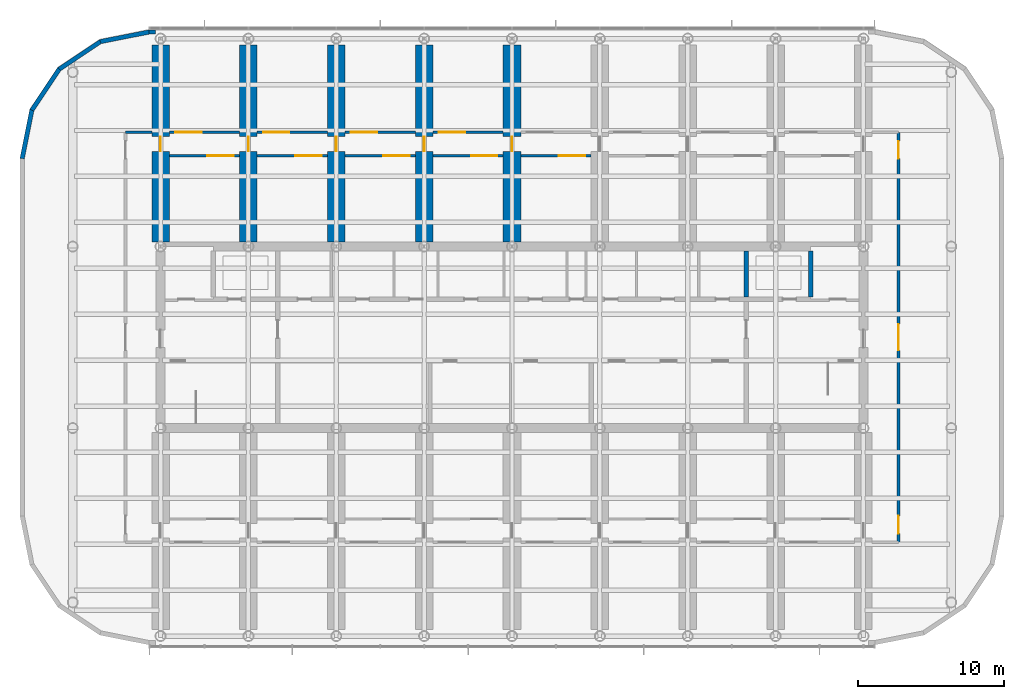
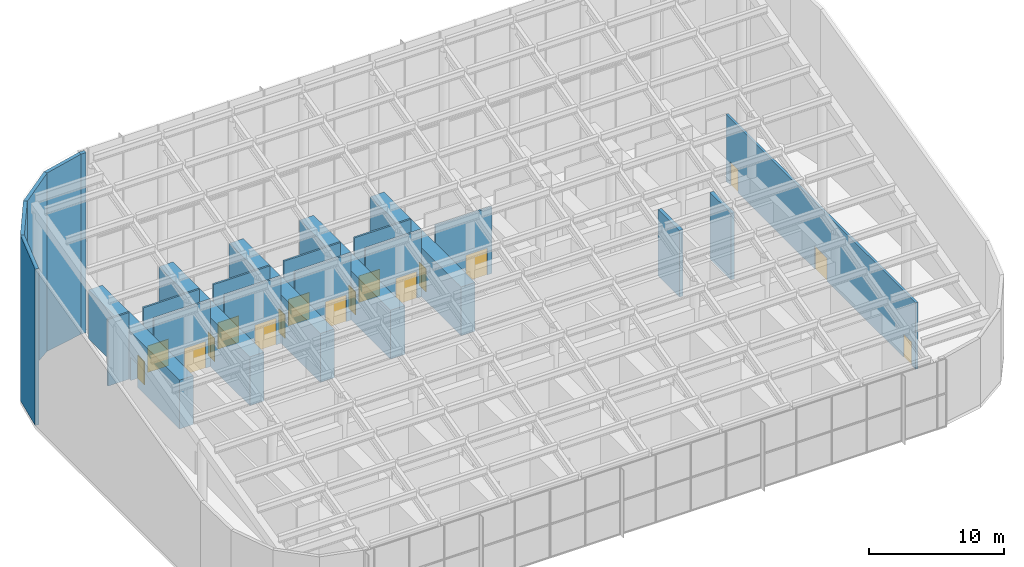
# One storey, part 12 of 14: 23 walls, 17 doors, 17 openings.
"""IFC4 building model written with IfcOpenShell, lengths in metres."""

from ifc_helpers import new_model, si_unit, direction, frame, frame_2d, origin, place, context, subcontext, project, spatial, polyline, rectangle, outline, extrude, clip, halfspace, material, layer, layer_set, type_object, element, fill, save


model = new_model("IFC4")

# Units and contexts
model_context = context("Model", 3, precision=1e-05, world=origin(), true_north=direction((0.0, 1.0)))
body_context = subcontext(model_context, "Body", "Model", "MODEL_VIEW")
ifc_project = project(units=[si_unit("LENGTHUNIT", "METRE"), si_unit("AREAUNIT", "SQUARE_METRE"), si_unit("VOLUMEUNIT", "CUBIC_METRE"), si_unit("PLANEANGLEUNIT", "RADIAN"), si_unit("MASSUNIT", "GRAM", prefix="KILO")], contexts=[model_context])

# Site, building, storey
site_placement = place(None, origin())
site = spatial("IfcSite", under=ifc_project, at=site_placement, CompositionType="ELEMENT")
building_placement = place(site_placement, origin())
building = spatial("IfcBuilding", under=site, at=building_placement, Name="Orbita Commons", CompositionType="ELEMENT")
storey_placement = place(building_placement, frame((0.0, 0.0, 262.300048828125)))
storey = spatial("IfcBuildingStorey", under=building, at=storey_placement, Name="L65", CompositionType="ELEMENT", Elevation=262.300048828125)

# Walls
ifc_material_1 = material(Name="Concrete C50/60", Category="concrete")
ifc_layer_1 = layer(ifc_material_1, 0.300048828125)
ifc_layer_set_1 = layer_set([ifc_layer_1], Name="Concrete C50/60")
wall_type_1 = type_object("IfcWallType", Name="Core inner wall 300 C50/60", PredefinedType="SHEAR", material=ifc_layer_set_1)
for number, where, z_axis, x_axis, name in (
    (1, (62.39990234375, 34.75, 0.0), (0.0, 0.0, 1.0), (0.0, 1.0, 0.0), "Firefighting lift FL2 shaft wall L65"),
    (2, (58.0, 34.75, 0.0), (0.0, 0.0, 1.0), (0.0, 1.0, 0.0), "Riser wall east L65"),
):
    element("IfcWall", number, at=place(storey_placement, frame(where, z_axis=z_axis, x_axis=x_axis)), inside=storey, type_object=wall_type_1, Name=name, PredefinedType="SHEAR", context=body_context, shape_type="SweptSolid", body=[
        extrude(rectangle(XDim=3.14990234375, YDim=0.300048828125, at=frame_2d((1.574951171875, 0.0))), origin(), (0.0, 0.0, 1.0), 6.0),
    ])

# Wall, openings, doors
ifc_material_2 = material(Name="Concrete blockwork", Category="masonry")
ifc_layer_2 = layer(ifc_material_2, 0.199951171875)
ifc_layer_set_2 = layer_set([ifc_layer_2], Name="Concrete blockwork")
wall_type_2 = type_object("IfcWallType", Name="Corridor wall 200 blockwork", PredefinedType="SOLIDWALL", material=ifc_layer_set_2)
wall_1_placement = place(storey_placement, frame((68.39990234375, 18.0, 0.0), z_axis=(0.0, 0.0, 1.0), x_axis=(0.0, 1.0, 0.0)))
wall_1 = element("IfcWall", 3, at=wall_1_placement, inside=storey, type_object=wall_type_2, Name="Corridor wall 200 blockwork L65", PredefinedType="SOLIDWALL", context=body_context, shape_type="SweptSolid", body=[
    extrude(rectangle(XDim=28.0, YDim=0.199951171875, at=frame_2d((14.0, 0.0))), origin(), (0.0, 0.0, 1.0), 6.0),
])
opening_1_placement = place(wall_1_placement, frame((13.10009765625, 0.0, 0.0)))
opening_1 = element("IfcOpeningElement", 4, at=opening_1_placement, cuts=wall_1, Name="Opening D19", PredefinedType="OPENING", context=body_context, shape_type="SweptSolid", body=[
    extrude(rectangle(XDim=1.800048828125, YDim=2.10009765625, at=frame_2d((0.89990234375, 1.050048828125))), frame((0.0, 0.10986328125, 0.0), z_axis=(0.0, -1.0, 0.0), x_axis=(1.0, 0.0, 0.0)), (0.0, 0.0, 1.0), 0.219970703125),
])
opening_2_placement = place(wall_1_placement, frame((26.199951171875, 0.0, 0.0)))
opening_2 = element("IfcOpeningElement", 5, at=opening_2_placement, cuts=wall_1, Name="Opening D01", PredefinedType="OPENING", context=body_context, shape_type="SweptSolid", body=[
    extrude(rectangle(XDim=1.199951171875, YDim=2.10009765625, at=frame_2d((0.60009765625, 1.050048828125))), frame((0.0, 0.10986328125, 0.0), z_axis=(0.0, -1.0, 0.0), x_axis=(1.0, 0.0, 0.0)), (0.0, 0.0, 1.0), 0.219970703125),
])
opening_3_placement = place(wall_1_placement, frame((0.60009765625, 0.0, 0.0)))
opening_3 = element("IfcOpeningElement", 6, at=opening_3_placement, cuts=wall_1, Name="Opening D01", PredefinedType="OPENING", context=body_context, shape_type="SweptSolid", body=[
    extrude(rectangle(XDim=1.199951171875, YDim=2.10009765625, at=frame_2d((0.60009765625, 1.050048828125))), frame((0.0, 0.10986328125, 0.0), z_axis=(0.0, -1.0, 0.0), x_axis=(1.0, 0.0, 0.0)), (0.0, 0.0, 1.0), 0.219970703125),
])
ifc_material_3 = material(Name="Steel-faced fire door leaf", Category="steel")
door_type_1 = type_object("IfcDoorType", Name="Double fire door 90 min 1800x2100", OperationType="DOUBLE_DOOR_SINGLE_SWING", PredefinedType="DOOR", material=ifc_material_3)
door_1_placement = place(opening_1_placement, origin())
door_1 = element("IfcDoor", 7, at=door_1_placement, inside=storey, type_object=door_type_1, Name="Maintenance unit garage doors", OperationType="DOUBLE_DOOR_SINGLE_SWING", OverallHeight=2.10009765625, OverallWidth=1.800048828125, PredefinedType="DOOR", context=body_context, shape_type="SweptSolid", body=[
    extrude(rectangle(XDim=1.800048828125, YDim=2.10009765625, at=frame_2d((0.89990234375, 1.050048828125))), frame((0.0, 0.02490234375, 0.0), z_axis=(0.0, -1.0, 0.0), x_axis=(1.0, 0.0, 0.0)), (0.0, 0.0, 1.0), 0.050048828125),
])
fill(opening_1, door_1)
ifc_material_4 = material(Name="Steel-faced fire door leaf", Category="steel")
door_type_2 = type_object("IfcDoorType", Name="Fire door 90 min 1200x2100", OperationType="SINGLE_SWING_LEFT", PredefinedType="DOOR", material=ifc_material_4)
door_2_placement = place(opening_2_placement, origin())
door_2 = element("IfcDoor", 8, at=door_2_placement, inside=storey, type_object=door_type_2, Name="Lift motor and winch room east south door", OperationType="SINGLE_SWING_LEFT", OverallHeight=2.10009765625, OverallWidth=1.199951171875, PredefinedType="DOOR", context=body_context, shape_type="SweptSolid", body=[
    extrude(rectangle(XDim=1.199951171875, YDim=2.10009765625, at=frame_2d((0.60009765625, 1.050048828125))), frame((0.0, 0.02490234375, 0.0), z_axis=(0.0, -1.0, 0.0), x_axis=(1.0, 0.0, 0.0)), (0.0, 0.0, 1.0), 0.050048828125),
])
fill(opening_2, door_2)
door_3_placement = place(opening_3_placement, origin())
door_3 = element("IfcDoor", 9, at=door_3_placement, inside=storey, type_object=door_type_2, Name="Lift motor and winch room east north door", OperationType="SINGLE_SWING_LEFT", OverallHeight=2.10009765625, OverallWidth=1.199951171875, PredefinedType="DOOR", context=body_context, shape_type="SweptSolid", body=[
    extrude(rectangle(XDim=1.199951171875, YDim=2.10009765625, at=frame_2d((0.60009765625, 1.050048828125))), frame((0.0, 0.02490234375, 0.0), z_axis=(0.0, -1.0, 0.0), x_axis=(1.0, 0.0, 0.0)), (0.0, 0.0, 1.0), 0.050048828125),
])
fill(opening_3, door_3)

# Wall, opening, door
ifc_material_5 = material(Name="Concrete C50/60", Category="concrete")
ifc_layer_3 = layer(ifc_material_5, 1.199951171875)
ifc_layer_set_3 = layer_set([ifc_layer_3], Name="Concrete C50/60")
wall_type_3 = type_object("IfcWallType", Name="Outrigger wall 1200 C50/60", PredefinedType="SHEAR", material=ifc_layer_set_3)
wall_2_placement = place(storey_placement, frame((18.0, 38.5, 0.0), z_axis=(0.0, 0.0, 1.0), x_axis=(0.0, 1.0, 0.0)))
wall_2 = element("IfcWall", 10, at=wall_2_placement, inside=storey, type_object=wall_type_3, Name="Outrigger wall 4 north L65", PredefinedType="SHEAR", context=body_context, shape_type="SweptSolid", body=[
    extrude(rectangle(XDim=13.449951171875, YDim=1.199951171875, at=frame_2d((6.72509765625, 0.0))), origin(), (0.0, 0.0, 1.0), 4.39990234375),
])
opening_4_placement = place(wall_2_placement, frame((6.199951171875, 0.0, 0.0)))
opening_4 = element("IfcOpeningElement", 11, at=opening_4_placement, cuts=wall_2, Name="Opening D02", PredefinedType="OPENING", context=body_context, shape_type="SweptSolid", body=[
    extrude(rectangle(XDim=1.0, YDim=2.10009765625, at=frame_2d((0.5, 1.050048828125))), frame((0.0, 0.60986328125, 0.0), z_axis=(0.0, -1.0, 0.0), x_axis=(1.0, 0.0, 0.0)), (0.0, 0.0, 1.0), 1.219970703125),
])
ifc_material_6 = material(Name="Steel-faced fire door leaf", Category="steel")
door_type_3 = type_object("IfcDoorType", Name="Fire door 90 min 1000x2100", OperationType="SINGLE_SWING_LEFT", PredefinedType="DOOR", material=ifc_material_6)
door_4_placement = place(opening_4_placement, origin())
door_4 = element("IfcDoor", 12, at=door_4_placement, inside=storey, type_object=door_type_3, Name="Plant corridor door through outrigger wall", OperationType="SINGLE_SWING_LEFT", OverallHeight=2.10009765625, OverallWidth=1.0, PredefinedType="DOOR", context=body_context, shape_type="SweptSolid", body=[
    extrude(rectangle(XDim=1.0, YDim=2.10009765625, at=frame_2d((0.5, 1.050048828125))), frame((0.0, 0.02490234375, 0.0), z_axis=(0.0, -1.0, 0.0), x_axis=(1.0, 0.0, 0.0)), (0.0, 0.0, 1.0), 0.050048828125),
])
fill(opening_4, door_4)

wall_3_placement = place(storey_placement, frame((24.0, 38.5, 0.0), z_axis=(0.0, 0.0, 1.0), x_axis=(0.0, 1.0, 0.0)))
wall_3 = element("IfcWall", 13, at=wall_3_placement, inside=storey, type_object=wall_type_3, Name="Outrigger wall 5 north L65", PredefinedType="SHEAR", context=body_context, shape_type="SweptSolid", body=[
    extrude(rectangle(XDim=13.449951171875, YDim=1.199951171875, at=frame_2d((6.72509765625, 0.0))), origin(), (0.0, 0.0, 1.0), 4.39990234375),
])
opening_5_placement = place(wall_3_placement, frame((6.199951171875, 0.0, 0.0)))
opening_5 = element("IfcOpeningElement", 14, at=opening_5_placement, cuts=wall_3, Name="Opening D02", PredefinedType="OPENING", context=body_context, shape_type="SweptSolid", body=[
    extrude(rectangle(XDim=1.0, YDim=2.10009765625, at=frame_2d((0.5, 1.050048828125))), frame((0.0, 0.60986328125, 0.0), z_axis=(0.0, -1.0, 0.0), x_axis=(1.0, 0.0, 0.0)), (0.0, 0.0, 1.0), 1.219970703125),
])
door_5_placement = place(opening_5_placement, origin())
door_5 = element("IfcDoor", 15, at=door_5_placement, inside=storey, type_object=door_type_3, Name="Plant corridor door through outrigger wall", OperationType="SINGLE_SWING_LEFT", OverallHeight=2.10009765625, OverallWidth=1.0, PredefinedType="DOOR", context=body_context, shape_type="SweptSolid", body=[
    extrude(rectangle(XDim=1.0, YDim=2.10009765625, at=frame_2d((0.5, 1.050048828125))), frame((0.0, 0.02490234375, 0.0), z_axis=(0.0, -1.0, 0.0), x_axis=(1.0, 0.0, 0.0)), (0.0, 0.0, 1.0), 0.050048828125),
])
fill(opening_5, door_5)

wall_4_placement = place(storey_placement, frame((30.0, 38.5, 0.0), z_axis=(0.0, 0.0, 1.0), x_axis=(0.0, 1.0, 0.0)))
wall_4 = element("IfcWall", 16, at=wall_4_placement, inside=storey, type_object=wall_type_3, Name="Outrigger wall 6 north L65", PredefinedType="SHEAR", context=body_context, shape_type="SweptSolid", body=[
    extrude(rectangle(XDim=13.449951171875, YDim=1.199951171875, at=frame_2d((6.72509765625, 0.0))), origin(), (0.0, 0.0, 1.0), 4.39990234375),
])
opening_6_placement = place(wall_4_placement, frame((6.199951171875, 0.0, 0.0)))
opening_6 = element("IfcOpeningElement", 17, at=opening_6_placement, cuts=wall_4, Name="Opening D02", PredefinedType="OPENING", context=body_context, shape_type="SweptSolid", body=[
    extrude(rectangle(XDim=1.0, YDim=2.10009765625, at=frame_2d((0.5, 1.050048828125))), frame((0.0, 0.60986328125, 0.0), z_axis=(0.0, -1.0, 0.0), x_axis=(1.0, 0.0, 0.0)), (0.0, 0.0, 1.0), 1.219970703125),
])
door_6_placement = place(opening_6_placement, origin())
door_6 = element("IfcDoor", 18, at=door_6_placement, inside=storey, type_object=door_type_3, Name="Plant corridor door through outrigger wall", OperationType="SINGLE_SWING_LEFT", OverallHeight=2.10009765625, OverallWidth=1.0, PredefinedType="DOOR", context=body_context, shape_type="SweptSolid", body=[
    extrude(rectangle(XDim=1.0, YDim=2.10009765625, at=frame_2d((0.5, 1.050048828125))), frame((0.0, 0.02490234375, 0.0), z_axis=(0.0, -1.0, 0.0), x_axis=(1.0, 0.0, 0.0)), (0.0, 0.0, 1.0), 0.050048828125),
])
fill(opening_6, door_6)

wall_5_placement = place(storey_placement, frame((36.0, 38.5, 0.0), z_axis=(0.0, 0.0, 1.0), x_axis=(0.0, 1.0, 0.0)))
wall_5 = element("IfcWall", 19, at=wall_5_placement, inside=storey, type_object=wall_type_3, Name="Outrigger wall 7 north L65", PredefinedType="SHEAR", context=body_context, shape_type="SweptSolid", body=[
    extrude(rectangle(XDim=13.449951171875, YDim=1.199951171875, at=frame_2d((6.72509765625, 0.0))), origin(), (0.0, 0.0, 1.0), 4.39990234375),
])
opening_7_placement = place(wall_5_placement, frame((6.199951171875, 0.0, 0.0)))
opening_7 = element("IfcOpeningElement", 20, at=opening_7_placement, cuts=wall_5, Name="Opening D02", PredefinedType="OPENING", context=body_context, shape_type="SweptSolid", body=[
    extrude(rectangle(XDim=1.0, YDim=2.10009765625, at=frame_2d((0.5, 1.050048828125))), frame((0.0, 0.60986328125, 0.0), z_axis=(0.0, -1.0, 0.0), x_axis=(1.0, 0.0, 0.0)), (0.0, 0.0, 1.0), 1.219970703125),
])
door_7_placement = place(opening_7_placement, origin())
door_7 = element("IfcDoor", 21, at=door_7_placement, inside=storey, type_object=door_type_3, Name="Plant corridor door through outrigger wall", OperationType="SINGLE_SWING_LEFT", OverallHeight=2.10009765625, OverallWidth=1.0, PredefinedType="DOOR", context=body_context, shape_type="SweptSolid", body=[
    extrude(rectangle(XDim=1.0, YDim=2.10009765625, at=frame_2d((0.5, 1.050048828125))), frame((0.0, 0.02490234375, 0.0), z_axis=(0.0, -1.0, 0.0), x_axis=(1.0, 0.0, 0.0)), (0.0, 0.0, 1.0), 0.050048828125),
])
fill(opening_7, door_7)

wall_6_placement = place(storey_placement, frame((42.0, 38.5, 0.0), z_axis=(0.0, 0.0, 1.0), x_axis=(0.0, 1.0, 0.0)))
wall_6 = element("IfcWall", 22, at=wall_6_placement, inside=storey, type_object=wall_type_3, Name="Outrigger wall 8 north L65", PredefinedType="SHEAR", context=body_context, shape_type="SweptSolid", body=[
    extrude(rectangle(XDim=13.449951171875, YDim=1.199951171875, at=frame_2d((6.72509765625, 0.0))), origin(), (0.0, 0.0, 1.0), 4.39990234375),
])
opening_8_placement = place(wall_6_placement, frame((6.199951171875, 0.0, 0.0)))
opening_8 = element("IfcOpeningElement", 23, at=opening_8_placement, cuts=wall_6, Name="Opening D02", PredefinedType="OPENING", context=body_context, shape_type="SweptSolid", body=[
    extrude(rectangle(XDim=1.0, YDim=2.10009765625, at=frame_2d((0.5, 1.050048828125))), frame((0.0, 0.60986328125, 0.0), z_axis=(0.0, -1.0, 0.0), x_axis=(1.0, 0.0, 0.0)), (0.0, 0.0, 1.0), 1.219970703125),
])
door_8_placement = place(opening_8_placement, origin())
door_8 = element("IfcDoor", 24, at=door_8_placement, inside=storey, type_object=door_type_3, Name="Plant corridor door through outrigger wall", OperationType="SINGLE_SWING_LEFT", OverallHeight=2.10009765625, OverallWidth=1.0, PredefinedType="DOOR", context=body_context, shape_type="SweptSolid", body=[
    extrude(rectangle(XDim=1.0, YDim=2.10009765625, at=frame_2d((0.5, 1.050048828125))), frame((0.0, 0.02490234375, 0.0), z_axis=(0.0, -1.0, 0.0), x_axis=(1.0, 0.0, 0.0)), (0.0, 0.0, 1.0), 0.050048828125),
])
fill(opening_8, door_8)

# Wall
ifc_material_7 = material(Name="Gypsum plasterboard on steel studs", Category="steel")
ifc_layer_4 = layer(ifc_material_7, 0.14990234375)
ifc_layer_set_4 = layer_set([ifc_layer_4], Name="Gypsum plasterboard on steel studs")
wall_type_4 = type_object("IfcWallType", Name="Partition 150 plasterboard", PredefinedType="PARTITIONING", material=ifc_layer_set_4)
wall_7_placement = place(storey_placement, frame((15.60009765625, 46.0, 0.0), z_axis=(0.0, 0.0, 1.0), x_axis=(1.0, 0.0, 0.0)))
element("IfcWall", 25, at=wall_7_placement, inside=storey, type_object=wall_type_4, Name="Partition 150 plasterboard L65", PredefinedType="PARTITIONING", context=body_context, shape_type="SweptSolid", body=[
    extrude(rectangle(XDim=1.7998046875, YDim=0.14990234375, at=frame_2d((0.89990234375, 0.0))), origin(), (0.0, 0.0, 1.0), 6.0),
])

# Wall, opening, door
wall_8_placement = place(storey_placement, frame((18.60009765625, 46.0, 0.0), z_axis=(0.0, 0.0, 1.0), x_axis=(1.0, 0.0, 0.0)))
wall_8 = element("IfcWall", 26, at=wall_8_placement, inside=storey, type_object=wall_type_4, Name="Partition 150 plasterboard L65", PredefinedType="PARTITIONING", context=body_context, shape_type="SweptSolid", body=[
    extrude(rectangle(XDim=4.7998046875, YDim=0.14990234375, at=frame_2d((2.39990234375, 0.0))), origin(), (0.0, 0.0, 1.0), 6.0),
])
opening_9_placement = place(wall_8_placement, frame((0.39990234375, 0.0, 0.0)))
opening_9 = element("IfcOpeningElement", 27, at=opening_9_placement, cuts=wall_8, Name="Opening D14", PredefinedType="OPENING", context=body_context, shape_type="SweptSolid", body=[
    extrude(rectangle(XDim=1.800048828125, YDim=2.39990234375, at=frame_2d((0.89990234375, 1.199951171875))), frame((0.0, 0.0849609375, 0.0), z_axis=(0.0, -1.0, 0.0), x_axis=(1.0, 0.0, 0.0)), (0.0, 0.0, 1.0), 0.169921875),
])
ifc_material_8 = material(Name="Steel-faced fire door leaf", Category="steel")
door_type_4 = type_object("IfcDoorType", Name="Double fire door 90 min 1800x2400", OperationType="DOUBLE_DOOR_SINGLE_SWING", PredefinedType="DOOR", material=ifc_material_8)
door_9_placement = place(opening_9_placement, origin())
door_9 = element("IfcDoor", 28, at=door_9_placement, inside=storey, type_object=door_type_4, Name="Cooling plant room north doors", OperationType="DOUBLE_DOOR_SINGLE_SWING", OverallHeight=2.39990234375, OverallWidth=1.800048828125, PredefinedType="DOOR", context=body_context, shape_type="SweptSolid", body=[
    extrude(rectangle(XDim=1.800048828125, YDim=2.39990234375, at=frame_2d((0.89990234375, 1.199951171875))), frame((0.0, 0.02490234375, 0.0), z_axis=(0.0, -1.0, 0.0), x_axis=(1.0, 0.0, 0.0)), (0.0, 0.0, 1.0), 0.050048828125),
])
fill(opening_9, door_9)

wall_9_placement = place(storey_placement, frame((18.60009765625, 44.39990234375, 0.0), z_axis=(0.0, 0.0, 1.0), x_axis=(1.0, 0.0, 0.0)))
wall_9 = element("IfcWall", 29, at=wall_9_placement, inside=storey, type_object=wall_type_4, Name="Partition 150 plasterboard L65", PredefinedType="PARTITIONING", context=body_context, shape_type="SweptSolid", body=[
    extrude(rectangle(XDim=4.7998046875, YDim=0.14990234375, at=frame_2d((2.39990234375, 0.0))), origin(), (0.0, 0.0, 1.0), 6.0),
])
opening_10_placement = place(wall_9_placement, frame((2.60009765625, 0.0, 0.0)))
opening_10 = element("IfcOpeningElement", 30, at=opening_10_placement, cuts=wall_9, Name="Opening D14", PredefinedType="OPENING", context=body_context, shape_type="SweptSolid", body=[
    extrude(rectangle(XDim=1.800048828125, YDim=2.39990234375, at=frame_2d((0.89990234375, 1.199951171875))), frame((0.0, 0.0849609375, 0.0), z_axis=(0.0, -1.0, 0.0), x_axis=(1.0, 0.0, 0.0)), (0.0, 0.0, 1.0), 0.169921875),
])
door_10_placement = place(opening_10_placement, origin())
door_10 = element("IfcDoor", 31, at=door_10_placement, inside=storey, type_object=door_type_4, Name="Chemical dosing room north doors", OperationType="DOUBLE_DOOR_SINGLE_SWING", OverallHeight=2.39990234375, OverallWidth=1.800048828125, PredefinedType="DOOR", context=body_context, shape_type="SweptSolid", body=[
    extrude(rectangle(XDim=1.800048828125, YDim=2.39990234375, at=frame_2d((0.89990234375, 1.199951171875))), frame((0.0, 0.02490234375, 0.0), z_axis=(0.0, -1.0, 0.0), x_axis=(1.0, 0.0, 0.0)), (0.0, 0.0, 1.0), 0.050048828125),
])
fill(opening_10, door_10)

wall_10_placement = place(storey_placement, frame((24.60009765625, 46.0, 0.0), z_axis=(0.0, 0.0, 1.0), x_axis=(1.0, 0.0, 0.0)))
wall_10 = element("IfcWall", 32, at=wall_10_placement, inside=storey, type_object=wall_type_4, Name="Partition 150 plasterboard L65", PredefinedType="PARTITIONING", context=body_context, shape_type="SweptSolid", body=[
    extrude(rectangle(XDim=4.7998046875, YDim=0.14990234375, at=frame_2d((2.39990234375, 0.0))), origin(), (0.0, 0.0, 1.0), 6.0),
])
opening_11_placement = place(wall_10_placement, frame((0.39990234375, 0.0, 0.0)))
opening_11 = element("IfcOpeningElement", 33, at=opening_11_placement, cuts=wall_10, Name="Opening D14", PredefinedType="OPENING", context=body_context, shape_type="SweptSolid", body=[
    extrude(rectangle(XDim=1.800048828125, YDim=2.39990234375, at=frame_2d((0.89990234375, 1.199951171875))), frame((0.0, 0.0849609375, 0.0), z_axis=(0.0, -1.0, 0.0), x_axis=(1.0, 0.0, 0.0)), (0.0, 0.0, 1.0), 0.169921875),
])
door_11_placement = place(opening_11_placement, origin())
door_11 = element("IfcDoor", 34, at=door_11_placement, inside=storey, type_object=door_type_4, Name="Water storage tank room north doors", OperationType="DOUBLE_DOOR_SINGLE_SWING", OverallHeight=2.39990234375, OverallWidth=1.800048828125, PredefinedType="DOOR", context=body_context, shape_type="SweptSolid", body=[
    extrude(rectangle(XDim=1.800048828125, YDim=2.39990234375, at=frame_2d((0.89990234375, 1.199951171875))), frame((0.0, 0.02490234375, 0.0), z_axis=(0.0, -1.0, 0.0), x_axis=(1.0, 0.0, 0.0)), (0.0, 0.0, 1.0), 0.050048828125),
])
fill(opening_11, door_11)

wall_11_placement = place(storey_placement, frame((24.60009765625, 44.39990234375, 0.0), z_axis=(0.0, 0.0, 1.0), x_axis=(1.0, 0.0, 0.0)))
wall_11 = element("IfcWall", 35, at=wall_11_placement, inside=storey, type_object=wall_type_4, Name="Partition 150 plasterboard L65", PredefinedType="PARTITIONING", context=body_context, shape_type="SweptSolid", body=[
    extrude(rectangle(XDim=4.7998046875, YDim=0.14990234375, at=frame_2d((2.39990234375, 0.0))), origin(), (0.0, 0.0, 1.0), 6.0),
])
opening_12_placement = place(wall_11_placement, frame((2.60009765625, 0.0, 0.0)))
opening_12 = element("IfcOpeningElement", 36, at=opening_12_placement, cuts=wall_11, Name="Opening D14", PredefinedType="OPENING", context=body_context, shape_type="SweptSolid", body=[
    extrude(rectangle(XDim=1.800048828125, YDim=2.39990234375, at=frame_2d((0.89990234375, 1.199951171875))), frame((0.0, 0.0849609375, 0.0), z_axis=(0.0, -1.0, 0.0), x_axis=(1.0, 0.0, 0.0)), (0.0, 0.0, 1.0), 0.169921875),
])
door_12_placement = place(opening_12_placement, origin())
door_12 = element("IfcDoor", 37, at=door_12_placement, inside=storey, type_object=door_type_4, Name="Plant spares store north doors", OperationType="DOUBLE_DOOR_SINGLE_SWING", OverallHeight=2.39990234375, OverallWidth=1.800048828125, PredefinedType="DOOR", context=body_context, shape_type="SweptSolid", body=[
    extrude(rectangle(XDim=1.800048828125, YDim=2.39990234375, at=frame_2d((0.89990234375, 1.199951171875))), frame((0.0, 0.02490234375, 0.0), z_axis=(0.0, -1.0, 0.0), x_axis=(1.0, 0.0, 0.0)), (0.0, 0.0, 1.0), 0.050048828125),
])
fill(opening_12, door_12)

wall_12_placement = place(storey_placement, frame((30.60009765625, 46.0, 0.0), z_axis=(0.0, 0.0, 1.0), x_axis=(1.0, 0.0, 0.0)))
wall_12 = element("IfcWall", 38, at=wall_12_placement, inside=storey, type_object=wall_type_4, Name="Partition 150 plasterboard L65", PredefinedType="PARTITIONING", context=body_context, shape_type="SweptSolid", body=[
    extrude(rectangle(XDim=4.7998046875, YDim=0.14990234375, at=frame_2d((2.39990234375, 0.0))), origin(), (0.0, 0.0, 1.0), 6.0),
])
opening_13_placement = place(wall_12_placement, frame((0.39990234375, 0.0, 0.0)))
opening_13 = element("IfcOpeningElement", 39, at=opening_13_placement, cuts=wall_12, Name="Opening D14", PredefinedType="OPENING", context=body_context, shape_type="SweptSolid", body=[
    extrude(rectangle(XDim=1.800048828125, YDim=2.39990234375, at=frame_2d((0.89990234375, 1.199951171875))), frame((0.0, 0.0849609375, 0.0), z_axis=(0.0, -1.0, 0.0), x_axis=(1.0, 0.0, 0.0)), (0.0, 0.0, 1.0), 0.169921875),
])
door_13_placement = place(opening_13_placement, origin())
door_13 = element("IfcDoor", 40, at=door_13_placement, inside=storey, type_object=door_type_4, Name="Air handling plant room north doors", OperationType="DOUBLE_DOOR_SINGLE_SWING", OverallHeight=2.39990234375, OverallWidth=1.800048828125, PredefinedType="DOOR", context=body_context, shape_type="SweptSolid", body=[
    extrude(rectangle(XDim=1.800048828125, YDim=2.39990234375, at=frame_2d((0.89990234375, 1.199951171875))), frame((0.0, 0.02490234375, 0.0), z_axis=(0.0, -1.0, 0.0), x_axis=(1.0, 0.0, 0.0)), (0.0, 0.0, 1.0), 0.050048828125),
])
fill(opening_13, door_13)

wall_13_placement = place(storey_placement, frame((30.60009765625, 44.39990234375, 0.0), z_axis=(0.0, 0.0, 1.0), x_axis=(1.0, 0.0, 0.0)))
wall_13 = element("IfcWall", 41, at=wall_13_placement, inside=storey, type_object=wall_type_4, Name="Partition 150 plasterboard L65", PredefinedType="PARTITIONING", context=body_context, shape_type="SweptSolid", body=[
    extrude(rectangle(XDim=4.7998046875, YDim=0.14990234375, at=frame_2d((2.39990234375, 0.0))), origin(), (0.0, 0.0, 1.0), 6.0),
])
opening_14_placement = place(wall_13_placement, frame((2.60009765625, 0.0, 0.0)))
opening_14 = element("IfcOpeningElement", 42, at=opening_14_placement, cuts=wall_13, Name="Opening D14", PredefinedType="OPENING", context=body_context, shape_type="SweptSolid", body=[
    extrude(rectangle(XDim=1.800048828125, YDim=2.39990234375, at=frame_2d((0.89990234375, 1.199951171875))), frame((0.0, 0.0849609375, 0.0), z_axis=(0.0, -1.0, 0.0), x_axis=(1.0, 0.0, 0.0)), (0.0, 0.0, 1.0), 0.169921875),
])
door_14_placement = place(opening_14_placement, origin())
door_14 = element("IfcDoor", 43, at=door_14_placement, inside=storey, type_object=door_type_4, Name="Building controls room north doors", OperationType="DOUBLE_DOOR_SINGLE_SWING", OverallHeight=2.39990234375, OverallWidth=1.800048828125, PredefinedType="DOOR", context=body_context, shape_type="SweptSolid", body=[
    extrude(rectangle(XDim=1.800048828125, YDim=2.39990234375, at=frame_2d((0.89990234375, 1.199951171875))), frame((0.0, 0.02490234375, 0.0), z_axis=(0.0, -1.0, 0.0), x_axis=(1.0, 0.0, 0.0)), (0.0, 0.0, 1.0), 0.050048828125),
])
fill(opening_14, door_14)

wall_14_placement = place(storey_placement, frame((36.60009765625, 46.0, 0.0), z_axis=(0.0, 0.0, 1.0), x_axis=(1.0, 0.0, 0.0)))
wall_14 = element("IfcWall", 44, at=wall_14_placement, inside=storey, type_object=wall_type_4, Name="Partition 150 plasterboard L65", PredefinedType="PARTITIONING", context=body_context, shape_type="SweptSolid", body=[
    extrude(rectangle(XDim=4.7998046875, YDim=0.14990234375, at=frame_2d((2.39990234375, 0.0))), origin(), (0.0, 0.0, 1.0), 6.0),
])
opening_15_placement = place(wall_14_placement, frame((0.39990234375, 0.0, 0.0)))
opening_15 = element("IfcOpeningElement", 45, at=opening_15_placement, cuts=wall_14, Name="Opening D14", PredefinedType="OPENING", context=body_context, shape_type="SweptSolid", body=[
    extrude(rectangle(XDim=1.800048828125, YDim=2.39990234375, at=frame_2d((0.89990234375, 1.199951171875))), frame((0.0, 0.0849609375, 0.0), z_axis=(0.0, -1.0, 0.0), x_axis=(1.0, 0.0, 0.0)), (0.0, 0.0, 1.0), 0.169921875),
])
door_15_placement = place(opening_15_placement, origin())
door_15 = element("IfcDoor", 46, at=door_15_placement, inside=storey, type_object=door_type_4, Name="Booster pump room north doors", OperationType="DOUBLE_DOOR_SINGLE_SWING", OverallHeight=2.39990234375, OverallWidth=1.800048828125, PredefinedType="DOOR", context=body_context, shape_type="SweptSolid", body=[
    extrude(rectangle(XDim=1.800048828125, YDim=2.39990234375, at=frame_2d((0.89990234375, 1.199951171875))), frame((0.0, 0.02490234375, 0.0), z_axis=(0.0, -1.0, 0.0), x_axis=(1.0, 0.0, 0.0)), (0.0, 0.0, 1.0), 0.050048828125),
])
fill(opening_15, door_15)

wall_15_placement = place(storey_placement, frame((36.60009765625, 44.39990234375, 0.0), z_axis=(0.0, 0.0, 1.0), x_axis=(1.0, 0.0, 0.0)))
wall_15 = element("IfcWall", 47, at=wall_15_placement, inside=storey, type_object=wall_type_4, Name="Partition 150 plasterboard L65", PredefinedType="PARTITIONING", context=body_context, shape_type="SweptSolid", body=[
    extrude(rectangle(XDim=4.7998046875, YDim=0.14990234375, at=frame_2d((2.39990234375, 0.0))), origin(), (0.0, 0.0, 1.0), 6.0),
])
opening_16_placement = place(wall_15_placement, frame((2.60009765625, 0.0, 0.0)))
opening_16 = element("IfcOpeningElement", 48, at=opening_16_placement, cuts=wall_15, Name="Opening D14", PredefinedType="OPENING", context=body_context, shape_type="SweptSolid", body=[
    extrude(rectangle(XDim=1.800048828125, YDim=2.39990234375, at=frame_2d((0.89990234375, 1.199951171875))), frame((0.0, 0.0849609375, 0.0), z_axis=(0.0, -1.0, 0.0), x_axis=(1.0, 0.0, 0.0)), (0.0, 0.0, 1.0), 0.169921875),
])
door_16_placement = place(opening_16_placement, origin())
door_16 = element("IfcDoor", 49, at=door_16_placement, inside=storey, type_object=door_type_4, Name="Pressurisation unit room north doors", OperationType="DOUBLE_DOOR_SINGLE_SWING", OverallHeight=2.39990234375, OverallWidth=1.800048828125, PredefinedType="DOOR", context=body_context, shape_type="SweptSolid", body=[
    extrude(rectangle(XDim=1.800048828125, YDim=2.39990234375, at=frame_2d((0.89990234375, 1.199951171875))), frame((0.0, 0.02490234375, 0.0), z_axis=(0.0, -1.0, 0.0), x_axis=(1.0, 0.0, 0.0)), (0.0, 0.0, 1.0), 0.050048828125),
])
fill(opening_16, door_16)

wall_16_placement = place(storey_placement, frame((42.60009765625, 44.39990234375, 0.0), z_axis=(0.0, 0.0, 1.0), x_axis=(1.0, 0.0, 0.0)))
wall_16 = element("IfcWall", 50, at=wall_16_placement, inside=storey, type_object=wall_type_4, Name="Partition 150 plasterboard L65", PredefinedType="PARTITIONING", context=body_context, shape_type="SweptSolid", body=[
    extrude(rectangle(XDim=4.7998046875, YDim=0.14990234375, at=frame_2d((2.39990234375, 0.0))), origin(), (0.0, 0.0, 1.0), 6.0),
])
opening_17_placement = place(wall_16_placement, frame((2.60009765625, 0.0, 0.0)))
opening_17 = element("IfcOpeningElement", 51, at=opening_17_placement, cuts=wall_16, Name="Opening D14", PredefinedType="OPENING", context=body_context, shape_type="SweptSolid", body=[
    extrude(rectangle(XDim=1.800048828125, YDim=2.39990234375, at=frame_2d((0.89990234375, 1.199951171875))), frame((0.0, 0.0849609375, 0.0), z_axis=(0.0, -1.0, 0.0), x_axis=(1.0, 0.0, 0.0)), (0.0, 0.0, 1.0), 0.169921875),
])
door_17_placement = place(opening_17_placement, origin())
door_17 = element("IfcDoor", 52, at=door_17_placement, inside=storey, type_object=door_type_4, Name="Water treatment room north doors", OperationType="DOUBLE_DOOR_SINGLE_SWING", OverallHeight=2.39990234375, OverallWidth=1.800048828125, PredefinedType="DOOR", context=body_context, shape_type="SweptSolid", body=[
    extrude(rectangle(XDim=1.800048828125, YDim=2.39990234375, at=frame_2d((0.89990234375, 1.199951171875))), frame((0.0, 0.02490234375, 0.0), z_axis=(0.0, -1.0, 0.0), x_axis=(1.0, 0.0, 0.0)), (0.0, 0.0, 1.0), 0.050048828125),
])
fill(opening_17, door_17)

# Walls
ifc_material_9 = material(Name="Precast concrete C40/50, white board-marked finish", Category="concrete")
ifc_layer_5 = layer(ifc_material_9, 0.300048828125)
ifc_layer_set_5 = layer_set([ifc_layer_5], Name="Precast concrete C40/50, white board-marked finish")
wall_type_5 = type_object("IfcWallType", Name="Precast concrete end shield 300", PredefinedType="SOLIDWALL", material=ifc_layer_set_5)
wall_17_placement = place(storey_placement, frame((17.199951171875, 52.85009765625, 0.0), z_axis=(0.0, 0.0, 1.0), x_axis=(-0.98078325777, -0.195100490205, 0.0)))
element("IfcWall", 53, at=wall_17_placement, inside=storey, type_object=wall_type_5, Name="End shield NW chord 1 L65", PredefinedType="SOLIDWALL", context=body_context, shape_type="Clipping", body=[
    clip(clip(extrude(outline(polyline([(-0.039794921875, 0.0), (3.414794921875, 0.0), (3.414794921875, 16.068115234375), (-0.039794921875, 16.236328125), (-0.039794921875, 0.0)])), frame((0.0, 0.14990234375, 0.0), z_axis=(0.0, -1.0, 0.0), x_axis=(1.0, 0.0, 0.0)), (0.0, 0.0, 1.0), 0.300048828125), halfspace(frame((0.0, 0.0, 0.0), z_axis=(-0.980785349348, 0.195089975409, 0.0)), False)), halfspace(frame((3.375, 0.0, 0.0), z_axis=(0.980785349348, 0.195089975409, 0.0)), False)),
])
wall_18_placement = place(storey_placement, frame((13.889892578125, 52.191650390625, 0.0), z_axis=(0.0, 0.0, 1.0), x_axis=(-0.831460037396, -0.555584562613, 0.0)))
element("IfcWall", 54, at=wall_18_placement, inside=storey, type_object=wall_type_5, Name="End shield NW chord 2 L65", PredefinedType="SOLIDWALL", context=body_context, shape_type="Clipping", body=[
    clip(clip(extrude(outline(polyline([(-0.039794921875, 0.0), (3.4150390625, 0.0), (3.4150390625, 15.596923828125), (3.375, 15.6025390625), (-0.039794921875, 16.07568359375), (-0.039794921875, 0.0)])), frame((0.0, 0.14990234375, 0.0), z_axis=(0.0, -1.0, 0.0), x_axis=(1.0, 0.0, 0.0)), (0.0, 0.0, 1.0), 0.300048828125), halfspace(frame((0.0, 0.0, 0.0), z_axis=(-0.980785349348, 0.195089975409, 0.0)), False)), halfspace(frame((3.375244140625, 0.0, 0.0), z_axis=(0.980785349348, 0.195089975409, 0.0)), False)),
])
wall_19_placement = place(storey_placement, frame((11.08349609375, 50.31640625, 0.0), z_axis=(0.0, 0.0, 1.0), x_axis=(-0.555567969291, -0.831471124873, 0.0)))
element("IfcWall", 55, at=wall_19_placement, inside=storey, type_object=wall_type_5, Name="End shield NW chord 3 L65", PredefinedType="SOLIDWALL", context=body_context, shape_type="Clipping", body=[
    clip(clip(extrude(outline(polyline([(-0.039794921875, 0.0), (3.414794921875, 0.0), (3.414794921875, 14.894775390625), (-0.039794921875, 15.61083984375), (-0.039794921875, 0.0)])), frame((0.0, 0.14990234375, 0.0), z_axis=(0.0, -1.0, 0.0), x_axis=(1.0, 0.0, 0.0)), (0.0, 0.0, 1.0), 0.300048828125), halfspace(frame((0.0, 0.0, 0.0), z_axis=(-0.980785349348, 0.195089975409, 0.0)), False)), halfspace(frame((3.375, 0.0, 0.0), z_axis=(0.980785349348, 0.195089975409, 0.0)), False)),
])
wall_20_placement = place(storey_placement, frame((9.20849609375, 47.51025390625, 0.0), z_axis=(0.0, 0.0, 1.0), x_axis=(-0.19508664885, -0.980786011034, 0.0)))
element("IfcWall", 56, at=wall_20_placement, inside=storey, type_object=wall_type_5, Name="End shield NW chord 4 L65", PredefinedType="SOLIDWALL", context=body_context, shape_type="Clipping", body=[
    clip(clip(extrude(outline(polyline([(-0.039794921875, 0.0), (3.4150390625, 0.0), (3.4150390625, 14.06787109375), (3.375, 14.07763671875), (-0.039794921875, 14.912841796875), (-0.039794921875, 0.0)])), frame((0.0, 0.14990234375, 0.0), z_axis=(0.0, -1.0, 0.0), x_axis=(1.0, 0.0, 0.0)), (0.0, 0.0, 1.0), 0.300048828125), halfspace(frame((0.0, 0.0, 0.0), z_axis=(-0.980785349348, 0.195089975409, 0.0)), False)), halfspace(frame((3.375244140625, 0.0, 0.0), z_axis=(0.995184765828, 0.098016742771, 0.0)), False)),
])
wall_21_placement = place(storey_placement, frame((17.199951171875, 52.85009765625, 0.0), z_axis=(0.0, 0.0, 1.0), x_axis=(1.0, 0.0, 0.0)))
element("IfcWall", 57, at=wall_21_placement, inside=storey, type_object=wall_type_5, Name="End shield NW closer L65", PredefinedType="SOLIDWALL", context=body_context, shape_type="SweptSolid", body=[
    extrude(outline(polyline([(0.0, 0.0), (0.444580078125, 0.0), (0.444580078125, 16.234375), (0.0, 16.234375), (0.0, 0.0)])), frame((0.0, 0.14990234375, 0.0), z_axis=(0.0, -1.0, 0.0), x_axis=(1.0, 0.0, 0.0)), (0.0, 0.0, 1.0), 0.300048828125),
])

save(model, "model.ifc")
